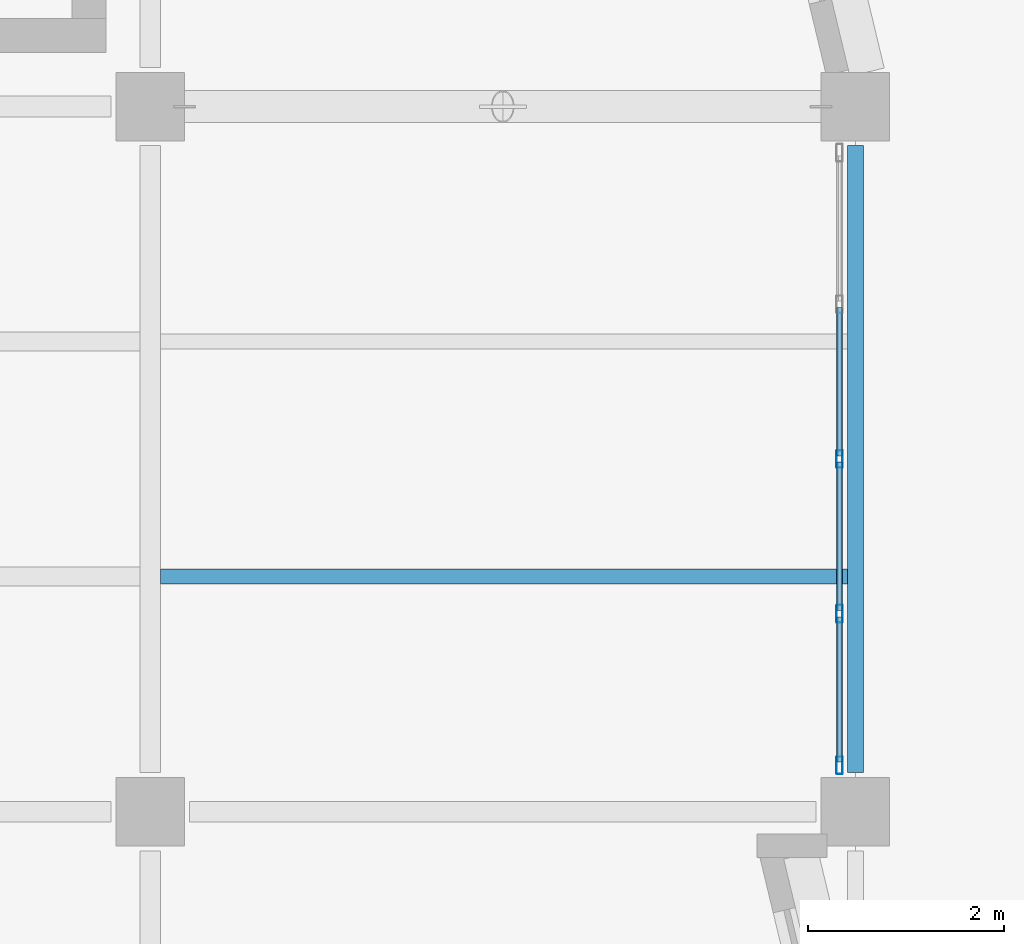
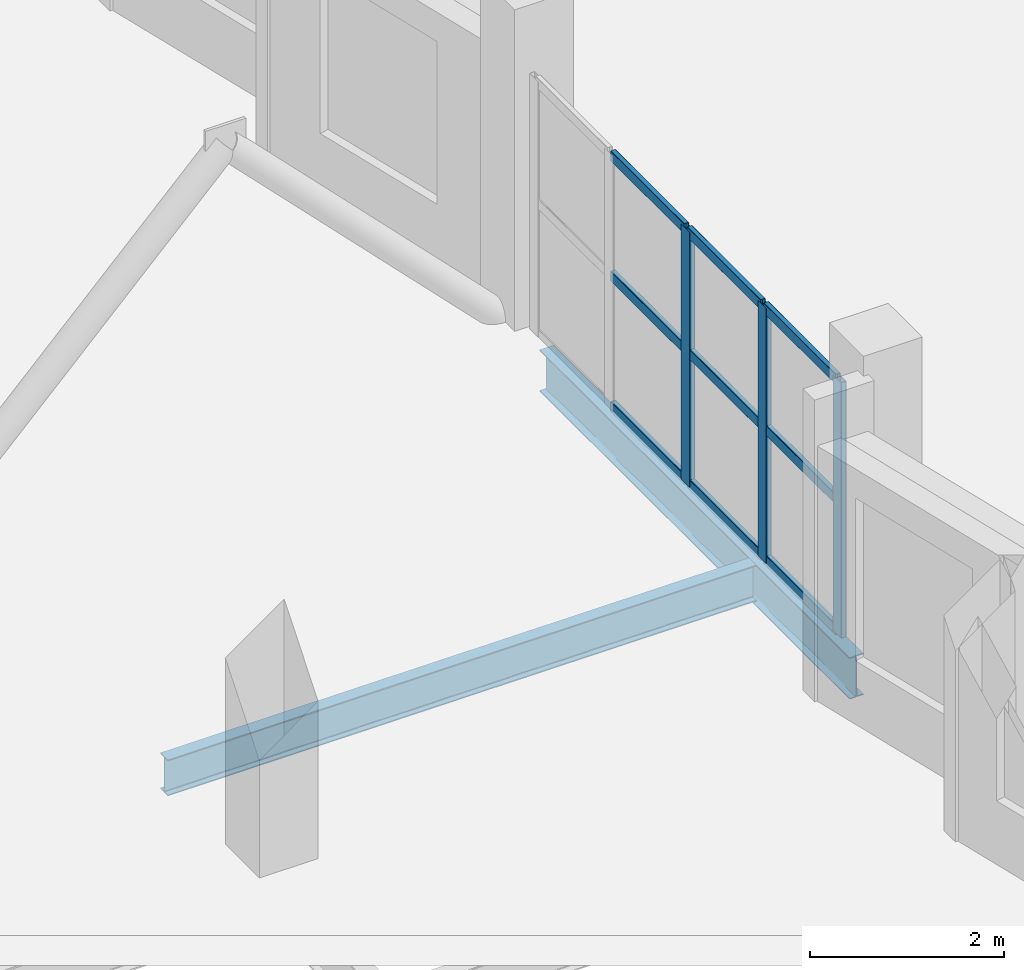
# One storey, part 13 of 38: 12 members, 2 beams, 1 element without a shape of its own.
"""IFC4 building model written with IfcOpenShell, lengths in metres."""

from ifc_helpers import new_model, si_unit, direction, frame, origin, origin_2d, place, context, subcontext, project, spatial, hollow_rectangle, i_section, extrude, material, material_profile, profile_set, type_object, element, aggregate, save


model = new_model("IFC4")

# Units and contexts
model_context = context("Model", 3, precision=1e-05, world=origin(), true_north=direction((0.0, 1.0)))
body_context = subcontext(model_context, "Body", "Model", "MODEL_VIEW")
ifc_project = project(units=[si_unit("LENGTHUNIT", "METRE"), si_unit("AREAUNIT", "SQUARE_METRE"), si_unit("VOLUMEUNIT", "CUBIC_METRE"), si_unit("PLANEANGLEUNIT", "RADIAN"), si_unit("MASSUNIT", "GRAM", prefix="KILO")], contexts=[model_context])

# Site, building, storey
site_placement = place(None, origin())
site = spatial("IfcSite", under=ifc_project, at=site_placement, CompositionType="ELEMENT")
building_placement = place(site_placement, origin())
building = spatial("IfcBuilding", under=site, at=building_placement, Name="Kalmorath City Hall", CompositionType="ELEMENT")
storey_placement = place(building_placement, frame((0.0, 0.0, 18.89990234375)))
storey = spatial("IfcBuildingStorey", under=building, at=storey_placement, Name="L04", CompositionType="ELEMENT", Elevation=18.89990234375)

# Curtain wall, members
ifc_material_1 = material(Name="Anodised aluminium and laminated glass", Category="aluminium")
curtain_wall_type = type_object("IfcCurtainWallType", Name="Unitised hurricane curtain wall 6320x3216 M1750", PredefinedType="NOTDEFINED", material=ifc_material_1)
curtain_wall_placement = place(storey_placement, origin())
curtain_wall = element("IfcCurtainWall", 1, at=curtain_wall_placement, inside=storey, type_object=curtain_wall_type, Name="L04 curtain wall CW-63X32M18 #167", PredefinedType="NOTDEFINED")
ifc_material_2 = material(Name="Anodised aluminium framing", Category="aluminium")
ifc_material_profile_1 = material_profile(ifc_material_2, hollow_rectangle(XDim=0.06494140625, YDim=0.179931640625, WallThickness=0.00390625, InnerFilletRadius=0.00390625, OuterFilletRadius=0.008056640625, at=origin_2d()), Name="ALU-MUL-180X65X4")
ifc_profile_set_1 = profile_set([ifc_material_profile_1], Name="Anodised aluminium framing")
member_type_1 = type_object("IfcMemberType", Name="Curtain-wall courtyard mullion 180x65", PredefinedType="MULLION", material=ifc_profile_set_1)
member_1_placement = place(storey_placement, frame((21.43994140625, 46.800048828125, 0.0), z_axis=(0.0, 0.0, 1.0), x_axis=(1.0, 0.0, 0.0)))
member_1 = element("IfcMember", 2, at=member_1_placement, type_object=member_type_1, Name="CW-63X32M18 mullion 3", PredefinedType="MULLION", context=body_context, shape_type="SweptSolid", body=[
    extrude(hollow_rectangle(XDim=0.06494140625, YDim=0.179931640625, WallThickness=0.00390625, InnerFilletRadius=0.00390625, OuterFilletRadius=0.008056640625, at=origin_2d()), origin(), (0.0, 0.0, 1.0), 3.216064453125),
])
member_2_placement = place(storey_placement, frame((21.43994140625, 45.219970703125, 0.0), z_axis=(0.0, 0.0, 1.0), x_axis=(1.0, 0.0, 0.0)))
member_2 = element("IfcMember", 3, at=member_2_placement, type_object=member_type_1, Name="CW-63X32M18 mullion 4", PredefinedType="MULLION", context=body_context, shape_type="SweptSolid", body=[
    extrude(hollow_rectangle(XDim=0.06494140625, YDim=0.179931640625, WallThickness=0.00390625, InnerFilletRadius=0.00390625, OuterFilletRadius=0.008056640625, at=origin_2d()), origin(), (0.0, 0.0, 1.0), 3.216064453125),
])
member_3_placement = place(storey_placement, frame((21.43994140625, 43.672607421875, 0.0), z_axis=(0.0, 0.0, 1.0), x_axis=(1.0, 0.0, 0.0)))
member_3 = element("IfcMember", 4, at=member_3_placement, type_object=member_type_1, Name="CW-63X32M18 mullion 5", PredefinedType="MULLION", context=body_context, shape_type="SweptSolid", body=[
    extrude(hollow_rectangle(XDim=0.06494140625, YDim=0.179931640625, WallThickness=0.00390625, InnerFilletRadius=0.00390625, OuterFilletRadius=0.008056640625, at=origin_2d()), origin(), (0.0, 0.0, 1.0), 3.216064453125),
])
ifc_material_3 = material(Name="Anodised aluminium framing", Category="aluminium")
ifc_material_profile_2 = material_profile(ifc_material_3, hollow_rectangle(XDim=0.06005859375, YDim=0.1298828125, WallThickness=0.00341796875, InnerFilletRadius=0.00341796875, OuterFilletRadius=0.007080078125, at=origin_2d()), Name="ALU-TRN-130X60X3.5")
ifc_profile_set_2 = profile_set([ifc_material_profile_2], Name="Anodised aluminium framing")
member_type_2 = type_object("IfcMemberType", Name="Curtain-wall courtyard transom 130x60", PredefinedType="USERDEFINED", material=ifc_profile_set_2)
member_4_placement = place(storey_placement, frame((21.43994140625, 48.347412109375, 0.030029296875), z_axis=(0.0, -1.0, 0.0), x_axis=(1.0, 0.0, 0.0)))
member_4 = element("IfcMember", 5, at=member_4_placement, type_object=member_type_2, Name="CW-63X32M18 transom 2.1", ObjectType="TRANSOM", PredefinedType="USERDEFINED", context=body_context, shape_type="SweptSolid", body=[
    extrude(hollow_rectangle(XDim=0.06005859375, YDim=0.1298828125, WallThickness=0.00341796875, InnerFilletRadius=0.00341796875, OuterFilletRadius=0.007080078125, at=origin_2d()), origin(), (0.0, 0.0, 1.0), 1.514892578125),
])
member_5_placement = place(storey_placement, frame((21.43994140625, 48.347412109375, 1.672119140625), z_axis=(0.0, -1.0, 0.0), x_axis=(1.0, 0.0, 0.0)))
member_5 = element("IfcMember", 6, at=member_5_placement, type_object=member_type_2, Name="CW-63X32M18 transom 2.2", ObjectType="TRANSOM", PredefinedType="USERDEFINED", context=body_context, shape_type="SweptSolid", body=[
    extrude(hollow_rectangle(XDim=0.06005859375, YDim=0.1298828125, WallThickness=0.00341796875, InnerFilletRadius=0.00341796875, OuterFilletRadius=0.007080078125, at=origin_2d()), origin(), (0.0, 0.0, 1.0), 1.514892578125),
])
member_6_placement = place(storey_placement, frame((21.43994140625, 48.347412109375, 3.18603515625), z_axis=(0.0, -1.0, 0.0), x_axis=(1.0, 0.0, 0.0)))
member_6 = element("IfcMember", 7, at=member_6_placement, type_object=member_type_2, Name="CW-63X32M18 transom 2.3", ObjectType="TRANSOM", PredefinedType="USERDEFINED", context=body_context, shape_type="SweptSolid", body=[
    extrude(hollow_rectangle(XDim=0.06005859375, YDim=0.1298828125, WallThickness=0.00341796875, InnerFilletRadius=0.00341796875, OuterFilletRadius=0.007080078125, at=origin_2d()), origin(), (0.0, 0.0, 1.0), 1.514892578125),
])
member_7_placement = place(storey_placement, frame((21.43994140625, 46.767578125, 0.030029296875), z_axis=(0.0, -1.0, 0.0), x_axis=(1.0, 0.0, 0.0)))
member_7 = element("IfcMember", 8, at=member_7_placement, type_object=member_type_2, Name="CW-63X32M18 transom 3.1", ObjectType="TRANSOM", PredefinedType="USERDEFINED", context=body_context, shape_type="SweptSolid", body=[
    extrude(hollow_rectangle(XDim=0.06005859375, YDim=0.1298828125, WallThickness=0.00341796875, InnerFilletRadius=0.00341796875, OuterFilletRadius=0.007080078125, at=origin_2d()), origin(), (0.0, 0.0, 1.0), 1.51513671875),
])
member_8_placement = place(storey_placement, frame((21.43994140625, 46.767578125, 1.672119140625), z_axis=(0.0, -1.0, 0.0), x_axis=(1.0, 0.0, 0.0)))
member_8 = element("IfcMember", 9, at=member_8_placement, type_object=member_type_2, Name="CW-63X32M18 transom 3.2", ObjectType="TRANSOM", PredefinedType="USERDEFINED", context=body_context, shape_type="SweptSolid", body=[
    extrude(hollow_rectangle(XDim=0.06005859375, YDim=0.1298828125, WallThickness=0.00341796875, InnerFilletRadius=0.00341796875, OuterFilletRadius=0.007080078125, at=origin_2d()), origin(), (0.0, 0.0, 1.0), 1.51513671875),
])
member_9_placement = place(storey_placement, frame((21.43994140625, 46.767578125, 3.18603515625), z_axis=(0.0, -1.0, 0.0), x_axis=(1.0, 0.0, 0.0)))
member_9 = element("IfcMember", 10, at=member_9_placement, type_object=member_type_2, Name="CW-63X32M18 transom 3.3", ObjectType="TRANSOM", PredefinedType="USERDEFINED", context=body_context, shape_type="SweptSolid", body=[
    extrude(hollow_rectangle(XDim=0.06005859375, YDim=0.1298828125, WallThickness=0.00341796875, InnerFilletRadius=0.00341796875, OuterFilletRadius=0.007080078125, at=origin_2d()), origin(), (0.0, 0.0, 1.0), 1.51513671875),
])
member_10_placement = place(storey_placement, frame((21.43994140625, 45.1875, 0.030029296875), z_axis=(0.0, -1.0, 0.0), x_axis=(1.0, 0.0, 0.0)))
member_10 = element("IfcMember", 11, at=member_10_placement, type_object=member_type_2, Name="CW-63X32M18 transom 4.1", ObjectType="TRANSOM", PredefinedType="USERDEFINED", context=body_context, shape_type="SweptSolid", body=[
    extrude(hollow_rectangle(XDim=0.06005859375, YDim=0.1298828125, WallThickness=0.00341796875, InnerFilletRadius=0.00341796875, OuterFilletRadius=0.007080078125, at=origin_2d()), origin(), (0.0, 0.0, 1.0), 1.482421875),
])
member_11_placement = place(storey_placement, frame((21.43994140625, 45.1875, 1.672119140625), z_axis=(0.0, -1.0, 0.0), x_axis=(1.0, 0.0, 0.0)))
member_11 = element("IfcMember", 12, at=member_11_placement, type_object=member_type_2, Name="CW-63X32M18 transom 4.2", ObjectType="TRANSOM", PredefinedType="USERDEFINED", context=body_context, shape_type="SweptSolid", body=[
    extrude(hollow_rectangle(XDim=0.06005859375, YDim=0.1298828125, WallThickness=0.00341796875, InnerFilletRadius=0.00341796875, OuterFilletRadius=0.007080078125, at=origin_2d()), origin(), (0.0, 0.0, 1.0), 1.482421875),
])
member_12_placement = place(storey_placement, frame((21.43994140625, 45.1875, 3.18603515625), z_axis=(0.0, -1.0, 0.0), x_axis=(1.0, 0.0, 0.0)))
member_12 = element("IfcMember", 13, at=member_12_placement, type_object=member_type_2, Name="CW-63X32M18 transom 4.3", ObjectType="TRANSOM", PredefinedType="USERDEFINED", context=body_context, shape_type="SweptSolid", body=[
    extrude(hollow_rectangle(XDim=0.06005859375, YDim=0.1298828125, WallThickness=0.00341796875, InnerFilletRadius=0.00341796875, OuterFilletRadius=0.007080078125, at=origin_2d()), origin(), (0.0, 0.0, 1.0), 1.482421875),
])
aggregate(curtain_wall, [member_1, member_2, member_3, member_4, member_5, member_6, member_7, member_8, member_9, member_10, member_11, member_12])

# Beams
ifc_material_4 = material(Name="Steel ASTM A992 Grade 50", Category="steel")
ifc_material_profile_3 = material_profile(ifc_material_4, i_section(OverallWidth=0.153076171875, OverallDepth=0.455078125, WebThickness=0.008056640625, FlangeThickness=0.01318359375, FilletRadius=0.013916015625, at=origin_2d()), Name="W18X40")
ifc_profile_set_3 = profile_set([ifc_material_profile_3], Name="Steel ASTM A992 Grade 50")
beam_type_1 = type_object("IfcBeamType", Name="Steel composite joist W18X40", PredefinedType="JOIST", material=ifc_profile_set_3)
beam_1_placement = place(storey_placement, frame((14.505615234375, 45.60009765625, -0.521484375), z_axis=(1.0, 0.0, 0.0), x_axis=(0.0, 1.0, 0.0)))
element("IfcBeam", 14, at=beam_1_placement, inside=storey, type_object=beam_type_1, Name="L04 joist SJ4 3.7.1", PredefinedType="JOIST", context=body_context, shape_type="SweptSolid", body=[
    extrude(i_section(OverallWidth=0.153076171875, OverallDepth=0.455078125, WebThickness=0.008056640625, FlangeThickness=0.01318359375, FilletRadius=0.013916015625, at=origin_2d()), origin(), (0.0, 0.0, 1.0), 7.011962890625),
])
ifc_material_5 = material(Name="Steel ASTM A992 Grade 50", Category="steel")
ifc_material_profile_4 = material_profile(ifc_material_5, i_section(OverallWidth=0.1650390625, OverallDepth=0.52490234375, WebThickness=0.0087890625, FlangeThickness=0.011474609375, FilletRadius=0.014892578125, at=origin_2d()), Name="W21X44")
ifc_profile_set_4 = profile_set([ifc_material_profile_4], Name="Steel ASTM A992 Grade 50")
beam_type_2 = type_object("IfcBeamType", Name="Steel spandrel beam W21X44", PredefinedType="SPANDREL", material=ifc_profile_set_4)
beam_2_placement = place(storey_placement, frame((21.60009765625, 43.60009765625, -0.556396484375), z_axis=(0.0, 1.0, 0.0), x_axis=(-1.0, 0.0, 0.0)))
element("IfcBeam", 15, at=beam_2_placement, inside=storey, type_object=beam_type_2, Name="L04 girder SB4 Y4/7-8", PredefinedType="SPANDREL", context=body_context, shape_type="SweptSolid", body=[
    extrude(i_section(OverallWidth=0.1650390625, OverallDepth=0.52490234375, WebThickness=0.0087890625, FlangeThickness=0.011474609375, FilletRadius=0.014892578125, at=origin_2d()), origin(), (0.0, 0.0, 1.0), 6.39990234375),
])

save(model, "model.ifc")
